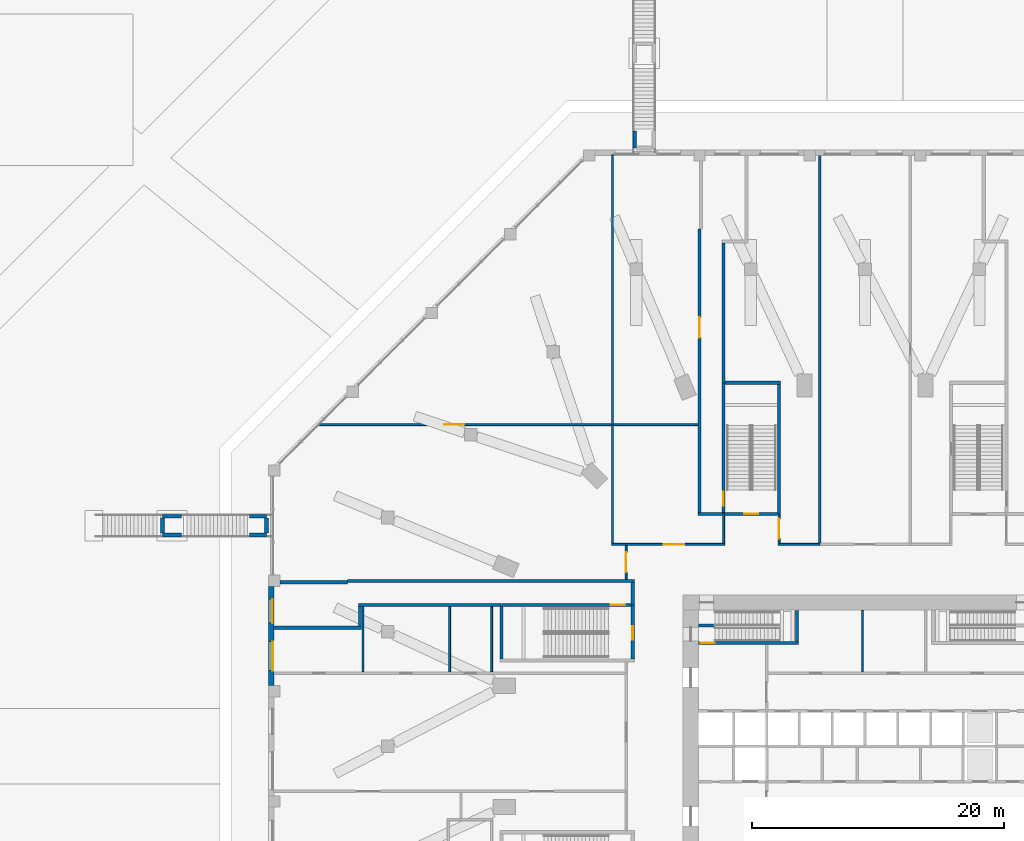
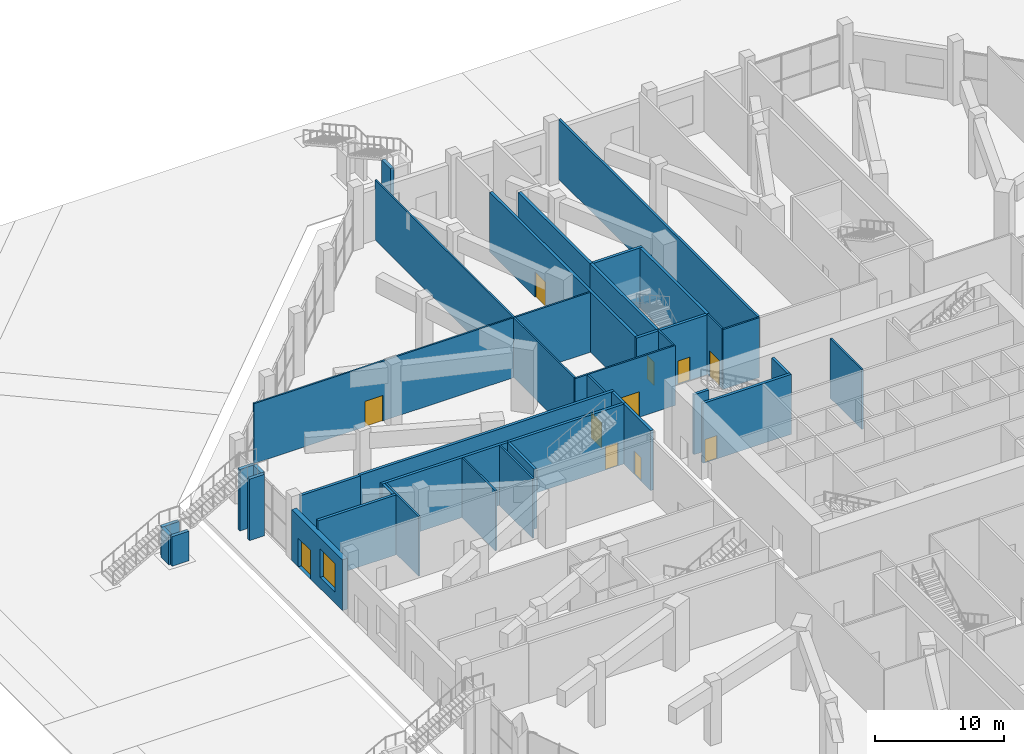
# One storey, part 26 of 36: 40 walls, 11 doors, 1 window, 12 openings.
"""IFC4 building model written with IfcOpenShell, lengths in metres."""

from ifc_helpers import new_model, si_unit, direction, frame, frame_2d, origin, place, context, subcontext, project, spatial, rectangle, extrude, material, layer, layer_set, type_object, element, fill, save


model = new_model("IFC4")

# Units and contexts
model_context = context("Model", 3, precision=1e-05, world=origin(), true_north=direction((0.0, 1.0)))
body_context = subcontext(model_context, "Body", "Model", "MODEL_VIEW")
ifc_project = project(units=[si_unit("LENGTHUNIT", "METRE"), si_unit("AREAUNIT", "SQUARE_METRE"), si_unit("VOLUMEUNIT", "CUBIC_METRE"), si_unit("PLANEANGLEUNIT", "RADIAN"), si_unit("MASSUNIT", "GRAM", prefix="KILO")], contexts=[model_context])

# Site, building, storey
site_placement = place(None, origin())
site = spatial("IfcSite", under=ifc_project, at=site_placement, CompositionType="ELEMENT")
building_placement = place(site_placement, origin())
building = spatial("IfcBuilding", under=site, at=building_placement, Name="Msitu Wima Residences", CompositionType="ELEMENT")
storey_placement = place(building_placement, origin())
storey = spatial("IfcBuildingStorey", under=building, at=storey_placement, Name="L00", CompositionType="ELEMENT", Elevation=0.0)

# Wall, openings, door, window
ifc_material_1 = material(Name="Brick (red buff mix), cavity wall of two leaves", Category="masonry")
ifc_layer_1 = layer(ifc_material_1, 0.449951171875)
ifc_layer_set_1 = layer_set([ifc_layer_1], Name="Brick (red buff mix), cavity wall of two leaves")
wall_type_1 = type_object("IfcWallType", Name="Brick infill wall BW450 podium", PredefinedType="ELEMENTEDWALL", material=ifc_layer_set_1)
wall_1_placement = place(storey_placement, frame((-47.02490234375, 12.66357421875, 0.0), z_axis=(0.0, 0.0, 1.0), x_axis=(0.0, -1.0, 0.0)))
wall_1 = element("IfcWall", 1, at=wall_1_placement, inside=storey, type_object=wall_type_1, Name="Brick infill wall L00 W1", PredefinedType="ELEMENTEDWALL", context=body_context, shape_type="SweptSolid", body=[
    extrude(rectangle(XDim=7.84228515625, YDim=0.449951171875, at=frame_2d((3.921142578125, 0.0))), origin(), (0.0, 0.0, 1.0), 4.800048828125),
])
opening_1_placement = place(wall_1_placement, frame((1.010498046875, 0.0, 0.0)))
opening_1 = element("IfcOpeningElement", 2, at=opening_1_placement, cuts=wall_1, Name="Opening D00.020", PredefinedType="OPENING", context=body_context, shape_type="SweptSolid", body=[
    extrude(rectangle(XDim=1.89990234375, YDim=2.699951171875, at=frame_2d((0.949951171875, 1.35009765625))), frame((0.0, 0.23486328125, 0.0), z_axis=(0.0, -1.0, 0.0), x_axis=(1.0, 0.0, 0.0)), (0.0, 0.0, 1.0), 0.469970703125),
])
opening_2_placement = place(wall_1_placement, frame((4.37109375, 0.0, 1.050048828125)))
opening_2 = element("IfcOpeningElement", 3, at=opening_2_placement, cuts=wall_1, Name="Opening W00.013", PredefinedType="OPENING", context=body_context, shape_type="SweptSolid", body=[
    extrude(rectangle(XDim=2.2900390625, YDim=2.699951171875, at=frame_2d((1.14501953125, 1.35009765625))), frame((0.0, 0.23486328125, 0.0), z_axis=(0.0, -1.0, 0.0), x_axis=(1.0, 0.0, 0.0)), (0.0, 0.0, 1.0), 0.469970703125),
])
ifc_material_2 = material(Name="Anodised aluminium, bronze finish, clear laminated glazing", Category="aluminium")
door_type_1 = type_object("IfcDoorType", Name="Exit door D1900x2700", OperationType="DOUBLE_DOOR_SINGLE_SWING", PredefinedType="DOOR", material=ifc_material_2)
door_1_placement = place(opening_1_placement, frame((1.89990234375, 0.0, 0.0), z_axis=(0.0, 0.0, 1.0), x_axis=(-1.0, 0.0, 0.0)))
door_1 = element("IfcDoor", 4, at=door_1_placement, inside=storey, type_object=door_type_1, Name="Exit door L00 W1", OperationType="DOUBLE_DOOR_SINGLE_SWING", OverallHeight=2.699951171875, OverallWidth=1.89990234375, PredefinedType="DOOR", context=body_context, shape_type="SweptSolid", body=[
    extrude(rectangle(XDim=1.89990234375, YDim=2.699951171875, at=frame_2d((0.949951171875, 1.35009765625))), frame((0.0, -0.079833984375, 0.0), z_axis=(0.0, -1.0, 0.0), x_axis=(1.0, 0.0, 0.0)), (0.0, 0.0, 1.0), 0.050048828125),
])
fill(opening_1, door_1)
ifc_material_3 = material(Name="Anodised aluminium, bronze finish, clear low-emissivity double glazing", Category="aluminium")
window_type = type_object("IfcWindowType", Name="Window W2290x2700", PartitioningType="DOUBLE_PANEL_VERTICAL", PredefinedType="WINDOW", material=ifc_material_3)
window_placement = place(opening_2_placement, origin())
window = element("IfcWindow", 5, at=window_placement, inside=storey, type_object=window_type, Name="Window L00 W1.2a", OverallHeight=2.699951171875, OverallWidth=2.2900390625, PartitioningType="SINGLE_PANEL", PredefinedType="WINDOW", context=body_context, shape_type="SweptSolid", body=[
    extrude(rectangle(XDim=2.2900390625, YDim=2.699951171875, at=frame_2d((1.14501953125, 1.35009765625))), frame((0.0, 0.135009765625, 0.0), z_axis=(0.0, -1.0, 0.0), x_axis=(1.0, 0.0, 0.0)), (0.0, 0.0, 1.0), 0.06005859375),
])
fill(opening_2, window)

# Walls
ifc_material_4 = material(Name="Plaster")
ifc_layer_2 = layer(ifc_material_4, 0.011962890625, Name="Plaster")
ifc_material_5 = material(Name="Concrete blockwork", Category="masonry")
ifc_layer_3 = layer(ifc_material_5, 0.176025390625, Name="Concrete blockwork")
ifc_layer_4 = layer(ifc_material_4, 0.011962890625, Name="Plaster")
ifc_layer_set_2 = layer_set([ifc_layer_2, ifc_layer_3, ifc_layer_4], Name="Concrete blockwork")
wall_type_2 = type_object("IfcWallType", Name="Corridor wall FW200", PredefinedType="PARTITIONING", material=ifc_layer_set_2)
wall_2_placement = place(storey_placement, frame((-3.60009765625, 16.10009765625, 0.0), z_axis=(0.0, 0.0, 1.0), x_axis=(0.0, 1.0, 0.0)))
element("IfcWall", 6, at=wall_2_placement, inside=storey, type_object=wall_type_2, Name="Corridor wall", PredefinedType="PARTITIONING", context=body_context, shape_type="SweptSolid", body=[
    extrude(rectangle(XDim=30.7548828125, YDim=0.199951171875, at=frame_2d((15.37744140625, 0.0))), origin(), (0.0, 0.0, 1.0), 5.64990234375),
])
ifc_material_6 = material(Name="Facing brick")
ifc_layer_5 = layer(ifc_material_6, 0.06494140625, Name="Facing brick")
ifc_material_7 = material(Name="Concrete C40/50", Category="concrete")
ifc_layer_6 = layer(ifc_material_7, 0.235107421875, Name="Concrete C40/50")
ifc_layer_set_3 = layer_set([ifc_layer_5, ifc_layer_6], Name="Concrete C40/50")
wall_type_3 = type_object("IfcWallType", Name="Garden stair support wall SW300", PredefinedType="SOLIDWALL", material=ifc_layer_set_3)
for number, where, z_axis, x_axis, name in (
    (7, (-47.39990234375, 18.234619140625, 0.0), (0.0, 0.0, 1.0), (-1.0, 0.0, 0.0), "Garden stair 4 support wall"),
    (8, (-47.39990234375, 16.734619140625, 0.0), (0.0, 0.0, 1.0), (-1.0, 0.0, 0.0), "Garden stair 4 support wall"),
):
    element("IfcWall", number, at=place(storey_placement, frame(where, z_axis=z_axis, x_axis=x_axis)), inside=storey, type_object=wall_type_3, Name=name, PredefinedType="SOLIDWALL", context=body_context, shape_type="SweptSolid", body=[
        extrude(rectangle(XDim=1.35009765625, YDim=0.300048828125, at=frame_2d((0.675048828125, 0.0))), origin(), (0.0, 0.0, 1.0), 5.800048828125),
    ])
wall_3_placement = place(storey_placement, frame((-47.39990234375, 18.084716796875, 0.0), z_axis=(0.0, 0.0, 1.0), x_axis=(0.0, -1.0, 0.0)))
element("IfcWall", 9, at=wall_3_placement, inside=storey, type_object=wall_type_3, Name="Garden stair 4 support wall", PredefinedType="SOLIDWALL", context=body_context, shape_type="SweptSolid", body=[
    extrude(rectangle(XDim=1.199951171875, YDim=0.300048828125, at=frame_2d((0.60009765625, 0.0))), origin(), (0.0, 0.0, 1.0), 5.800048828125),
])
for number, where, z_axis, x_axis, name in (
    (10, (-54.14990234375, 18.234619140625, 0.0), (0.0, 0.0, 1.0), (-1.0, 0.0, 0.0), "Garden stair 4 support wall"),
    (11, (-54.14990234375, 16.734619140625, 0.0), (0.0, 0.0, 1.0), (-1.0, 0.0, 0.0), "Garden stair 4 support wall"),
):
    element("IfcWall", number, at=place(storey_placement, frame(where, z_axis=z_axis, x_axis=x_axis)), inside=storey, type_object=wall_type_3, Name=name, PredefinedType="SOLIDWALL", context=body_context, shape_type="SweptSolid", body=[
        extrude(rectangle(XDim=1.5, YDim=0.300048828125, at=frame_2d((0.75, 0.0))), origin(), (0.0, 0.0, 1.0), 2.800048828125),
    ])
wall_4_placement = place(storey_placement, frame((-55.64990234375, 18.084716796875, 0.0), z_axis=(0.0, 0.0, 1.0), x_axis=(0.0, -1.0, 0.0)))
element("IfcWall", 12, at=wall_4_placement, inside=storey, type_object=wall_type_3, Name="Garden stair 4 support wall", PredefinedType="SOLIDWALL", context=body_context, shape_type="SweptSolid", body=[
    extrude(rectangle(XDim=1.199951171875, YDim=0.300048828125, at=frame_2d((0.60009765625, 0.0))), origin(), (0.0, 0.0, 1.0), 2.800048828125),
])
wall_5_placement = place(storey_placement, frame((-18.234619140625, 47.39990234375, 0.0), z_axis=(0.0, 0.0, 1.0), x_axis=(0.0, 1.0, 0.0)))
element("IfcWall", 13, at=wall_5_placement, inside=storey, type_object=wall_type_3, Name="Garden stair 5 support wall", PredefinedType="SOLIDWALL", context=body_context, shape_type="SweptSolid", body=[
    extrude(rectangle(XDim=1.35009765625, YDim=0.300048828125, at=frame_2d((0.675048828125, 0.0))), origin(), (0.0, 0.0, 1.0), 5.800048828125),
])

# Wall, opening, door
ifc_layer_7 = layer(ifc_material_4, 0.011962890625, Name="Plaster")
ifc_layer_8 = layer(ifc_material_5, 0.1259765625, Name="Concrete blockwork")
ifc_layer_9 = layer(ifc_material_4, 0.011962890625, Name="Plaster")
ifc_layer_set_4 = layer_set([ifc_layer_7, ifc_layer_8, ifc_layer_9], Name="Concrete blockwork")
wall_type_4 = type_object("IfcWallType", Name="Partition PW150", PredefinedType="PARTITIONING", material=ifc_layer_set_4)
wall_6_placement = place(storey_placement, frame((-43.248291015625, 25.4853515625, 0.0), z_axis=(0.0, 0.0, 1.0), x_axis=(1.0, 0.0, 0.0)))
wall_6 = element("IfcWall", 14, at=wall_6_placement, inside=storey, type_object=wall_type_4, Name="Partition", PredefinedType="PARTITIONING", context=body_context, shape_type="SweptSolid", body=[
    extrude(rectangle(XDim=30.023193359375, YDim=0.14990234375, at=frame_2d((15.01171875, 0.0))), origin(), (0.0, 0.0, 1.0), 5.64990234375),
])
opening_3_placement = place(wall_6_placement, frame((9.89990234375, 0.0, 0.0)))
opening_3 = element("IfcOpeningElement", 15, at=opening_3_placement, cuts=wall_6, Name="Opening D00.068", PredefinedType="OPENING", context=body_context, shape_type="SweptSolid", body=[
    extrude(rectangle(XDim=1.60009765625, YDim=2.39990234375, at=frame_2d((0.800048828125, 1.199951171875))), frame((0.0, 0.0849609375, 0.0), z_axis=(0.0, -1.0, 0.0), x_axis=(1.0, 0.0, 0.0)), (0.0, 0.0, 1.0), 0.169921875),
])
ifc_material_8 = material(Name="Black aluminium glazed door", Category="aluminium")
door_type_2 = type_object("IfcDoorType", Name="Amenity door D10 1600x2400", OperationType="DOUBLE_DOOR_SINGLE_SWING", PredefinedType="DOOR", material=ifc_material_8)
door_2_placement = place(opening_3_placement, origin())
door_2 = element("IfcDoor", 16, at=door_2_placement, inside=storey, type_object=door_type_2, Name="Amenity door", OperationType="DOUBLE_DOOR_SINGLE_SWING", OverallHeight=2.39990234375, OverallWidth=1.60009765625, PredefinedType="DOOR", context=body_context, shape_type="SweptSolid", body=[
    extrude(rectangle(XDim=1.60009765625, YDim=2.39990234375, at=frame_2d((0.800048828125, 1.199951171875))), frame((0.0, 0.02490234375, 0.0), z_axis=(0.0, -1.0, 0.0), x_axis=(1.0, 0.0, 0.0)), (0.0, 0.0, 1.0), 0.050048828125),
])
fill(opening_3, door_2)

# Walls
for number, where, z_axis, x_axis, name in (
    (17, (-39.763916015625, 5.89990234375, 0.0), (0.0, 0.0, 1.0), (0.0, 1.0, 0.0), "Partition"),
    (18, (-32.89990234375, 5.89990234375, 0.0), (0.0, 0.0, 1.0), (0.0, 1.0, 0.0), "Partition"),
):
    element("IfcWall", number, at=place(storey_placement, frame(where, z_axis=z_axis, x_axis=x_axis)), inside=storey, type_object=wall_type_4, Name=name, PredefinedType="PARTITIONING", context=body_context, shape_type="SweptSolid", body=[
        extrude(rectangle(XDim=5.175048828125, YDim=0.14990234375, at=frame_2d((2.58740234375, 0.0))), origin(), (0.0, 0.0, 1.0), 5.64990234375),
    ])
wall_7_placement = place(storey_placement, frame((-29.574951171875, 5.919921875, 0.0), z_axis=(0.0, 0.0, 1.0), x_axis=(0.0, 1.0, 0.0)))
element("IfcWall", 19, at=wall_7_placement, inside=storey, type_object=wall_type_4, Name="Partition", PredefinedType="PARTITIONING", context=body_context, shape_type="SweptSolid", body=[
    extrude(rectangle(XDim=5.135009765625, YDim=0.14990234375, at=frame_2d((2.5673828125, 0.0))), origin(), (0.0, 0.0, 1.0), 5.64990234375),
])
wall_8_placement = place(storey_placement, frame((-20.0, 16.074951171875, 0.0), z_axis=(0.0, 0.0, 1.0), x_axis=(0.0, 1.0, 0.0)))
element("IfcWall", 20, at=wall_8_placement, inside=storey, type_object=wall_type_4, Name="Partition", PredefinedType="PARTITIONING", context=body_context, shape_type="SweptSolid", body=[
    extrude(rectangle(XDim=9.410400390625, YDim=0.14990234375, at=frame_2d((4.705078125, 0.0))), origin(), (0.0, 0.0, 1.0), 5.64990234375),
])

# Wall, opening, door
wall_9_placement = place(storey_placement, frame((-20.074951171875, 16.0, 0.0), z_axis=(0.0, 0.0, 1.0), x_axis=(1.0, 0.0, 0.0)))
wall_9 = element("IfcWall", 21, at=wall_9_placement, inside=storey, type_object=wall_type_4, Name="Partition", PredefinedType="PARTITIONING", context=body_context, shape_type="SweptSolid", body=[
    extrude(rectangle(XDim=8.949951171875, YDim=0.14990234375, at=frame_2d((4.47509765625, 0.0))), origin(), (0.0, 0.0, 1.0), 5.64990234375),
])
opening_4_placement = place(wall_9_placement, frame((4.14990234375, 0.0, 0.0)))
opening_4 = element("IfcOpeningElement", 22, at=opening_4_placement, cuts=wall_9, Name="Opening D00.061", PredefinedType="OPENING", context=body_context, shape_type="SweptSolid", body=[
    extrude(rectangle(XDim=1.60009765625, YDim=2.39990234375, at=frame_2d((0.800048828125, 1.199951171875))), frame((0.0, 0.0849609375, 0.0), z_axis=(0.0, -1.0, 0.0), x_axis=(1.0, 0.0, 0.0)), (0.0, 0.0, 1.0), 0.169921875),
])
door_3_placement = place(opening_4_placement, origin())
door_3 = element("IfcDoor", 23, at=door_3_placement, inside=storey, type_object=door_type_2, Name="Amenity door", OperationType="DOUBLE_DOOR_SINGLE_SWING", OverallHeight=2.39990234375, OverallWidth=1.60009765625, PredefinedType="DOOR", context=body_context, shape_type="SweptSolid", body=[
    extrude(rectangle(XDim=1.60009765625, YDim=2.39990234375, at=frame_2d((0.800048828125, 1.199951171875))), frame((0.0, 0.02490234375, 0.0), z_axis=(0.0, -1.0, 0.0), x_axis=(1.0, 0.0, 0.0)), (0.0, 0.0, 1.0), 0.050048828125),
])
fill(opening_4, door_3)

# Wall
wall_10_placement = place(storey_placement, frame((-20.0, 25.4853515625, 0.0), z_axis=(0.0, 0.0, 1.0), x_axis=(0.0, 1.0, 0.0)))
element("IfcWall", 24, at=wall_10_placement, inside=storey, type_object=wall_type_4, Name="Partition", PredefinedType="PARTITIONING", context=body_context, shape_type="SweptSolid", body=[
    extrude(rectangle(XDim=21.36962890625, YDim=0.14990234375, at=frame_2d((10.684814453125, 0.0))), origin(), (0.0, 0.0, 1.0), 5.64990234375),
])

# Wall, opening, door
wall_11_placement = place(storey_placement, frame((-18.927978515625, 13.22509765625, 0.0), z_axis=(0.0, 0.0, 1.0), x_axis=(0.0, 1.0, 0.0)))
wall_11 = element("IfcWall", 25, at=wall_11_placement, inside=storey, type_object=wall_type_4, Name="Partition", PredefinedType="PARTITIONING", context=body_context, shape_type="SweptSolid", body=[
    extrude(rectangle(XDim=2.699951171875, YDim=0.14990234375, at=frame_2d((1.35009765625, 0.0))), origin(), (0.0, 0.0, 1.0), 5.64990234375),
])
opening_5_placement = place(wall_11_placement, frame((0.550048828125, 0.0, 0.0)))
opening_5 = element("IfcOpeningElement", 26, at=opening_5_placement, cuts=wall_11, Name="Opening D00.067", PredefinedType="OPENING", context=body_context, shape_type="SweptSolid", body=[
    extrude(rectangle(XDim=1.60009765625, YDim=2.39990234375, at=frame_2d((0.800048828125, 1.199951171875))), frame((0.0, 0.0849609375, 0.0), z_axis=(0.0, -1.0, 0.0), x_axis=(1.0, 0.0, 0.0)), (0.0, 0.0, 1.0), 0.169921875),
])
door_4_placement = place(opening_5_placement, origin())
door_4 = element("IfcDoor", 27, at=door_4_placement, inside=storey, type_object=door_type_2, Name="Amenity door", OperationType="DOUBLE_DOOR_SINGLE_SWING", OverallHeight=2.39990234375, OverallWidth=1.60009765625, PredefinedType="DOOR", context=body_context, shape_type="SweptSolid", body=[
    extrude(rectangle(XDim=1.60009765625, YDim=2.39990234375, at=frame_2d((0.800048828125, 1.199951171875))), frame((0.0, 0.02490234375, 0.0), z_axis=(0.0, -1.0, 0.0), x_axis=(1.0, 0.0, 0.0)), (0.0, 0.0, 1.0), 0.050048828125),
])
fill(opening_5, door_4)

# Wall
wall_12_placement = place(storey_placement, frame((-11.199951171875, 16.074951171875, 0.0), z_axis=(0.0, 0.0, 1.0), x_axis=(0.0, 1.0, 0.0)))
element("IfcWall", 28, at=wall_12_placement, inside=storey, type_object=wall_type_4, Name="Partition", PredefinedType="PARTITIONING", context=body_context, shape_type="SweptSolid", body=[
    extrude(rectangle(XDim=2.324951171875, YDim=0.14990234375, at=frame_2d((1.16259765625, 0.0))), origin(), (0.0, 0.0, 1.0), 5.64990234375),
])

# Wall, opening, door
wall_13_placement = place(storey_placement, frame((-6.800048828125, 16.074951171875, 0.0), z_axis=(0.0, 0.0, 1.0), x_axis=(0.0, 1.0, 0.0)))
wall_13 = element("IfcWall", 29, at=wall_13_placement, inside=storey, type_object=wall_type_4, Name="Partition", PredefinedType="PARTITIONING", context=body_context, shape_type="SweptSolid", body=[
    extrude(rectangle(XDim=2.324951171875, YDim=0.14990234375, at=frame_2d((1.16259765625, 0.0))), origin(), (0.0, 0.0, 1.0), 5.64990234375),
])
opening_6_placement = place(wall_13_placement, frame((0.35009765625, 0.0, 0.0)))
opening_6 = element("IfcOpeningElement", 30, at=opening_6_placement, cuts=wall_13, Name="Opening D00.060", PredefinedType="OPENING", context=body_context, shape_type="SweptSolid", body=[
    extrude(rectangle(XDim=1.60009765625, YDim=2.39990234375, at=frame_2d((0.800048828125, 1.199951171875))), frame((0.0, 0.0849609375, 0.0), z_axis=(0.0, -1.0, 0.0), x_axis=(1.0, 0.0, 0.0)), (0.0, 0.0, 1.0), 0.169921875),
])
door_5_placement = place(opening_6_placement, origin())
door_5 = element("IfcDoor", 31, at=door_5_placement, inside=storey, type_object=door_type_2, Name="Amenity door", OperationType="DOUBLE_DOOR_SINGLE_SWING", OverallHeight=2.39990234375, OverallWidth=1.60009765625, PredefinedType="DOOR", context=body_context, shape_type="SweptSolid", body=[
    extrude(rectangle(XDim=1.60009765625, YDim=2.39990234375, at=frame_2d((0.800048828125, 1.199951171875))), frame((0.0, 0.02490234375, 0.0), z_axis=(0.0, -1.0, 0.0), x_axis=(1.0, 0.0, 0.0)), (0.0, 0.0, 1.0), 0.050048828125),
])
fill(opening_6, door_5)

# Walls
wall_14_placement = place(storey_placement, frame((-6.875, 16.0, 0.0), z_axis=(0.0, 0.0, 1.0), x_axis=(1.0, 0.0, 0.0)))
element("IfcWall", 32, at=wall_14_placement, inside=storey, type_object=wall_type_4, Name="Partition", PredefinedType="PARTITIONING", context=body_context, shape_type="SweptSolid", body=[
    extrude(rectangle(XDim=3.27490234375, YDim=0.14990234375, at=frame_2d((1.637451171875, 0.0))), origin(), (0.0, 0.0, 1.0), 5.64990234375),
])
wall_15_placement = place(storey_placement, frame((-0.199951171875, 5.89990234375, 0.0), z_axis=(0.0, 0.0, 1.0), x_axis=(0.0, 1.0, 0.0)))
element("IfcWall", 33, at=wall_15_placement, inside=storey, type_object=wall_type_4, Name="Partition", PredefinedType="PARTITIONING", context=body_context, shape_type="SweptSolid", body=[
    extrude(rectangle(XDim=4.8701171875, YDim=0.14990234375, at=frame_2d((2.43505859375, 0.0))), origin(), (0.0, 0.0, 1.0), 5.64990234375),
])
ifc_material_9 = material(Name="Concrete C50/60", Category="concrete")
ifc_layer_10 = layer(ifc_material_9, 0.25)
ifc_layer_set_5 = layer_set([ifc_layer_10], Name="Concrete C50/60")
wall_type_5 = type_object("IfcWallType", Name="Stair enclosure wall SW250", PredefinedType="SHEAR", material=ifc_layer_set_5)
wall_16_placement = place(storey_placement, frame((-28.800048828125, 6.925048828125, 0.0), z_axis=(0.0, 0.0, 1.0), x_axis=(0.0, 1.0, 0.0)))
element("IfcWall", 34, at=wall_16_placement, inside=storey, type_object=wall_type_5, Name="Stair enclosure wall", PredefinedType="SHEAR", context=body_context, shape_type="SweptSolid", body=[
    extrude(rectangle(XDim=4.14990234375, YDim=0.25, at=frame_2d((2.074951171875, 0.0))), origin(), (0.0, 0.0, 1.0), 5.64990234375),
])

# Wall, opening, door
wall_17_placement = place(storey_placement, frame((-28.800048828125, 11.199951171875, 0.0), z_axis=(0.0, 0.0, 1.0), x_axis=(1.0, 0.0, 0.0)))
wall_17 = element("IfcWall", 35, at=wall_17_placement, inside=storey, type_object=wall_type_5, Name="Stair enclosure wall", PredefinedType="SHEAR", context=body_context, shape_type="SweptSolid", body=[
    extrude(rectangle(XDim=10.275146484375, YDim=0.25, at=frame_2d((5.1376953125, 0.0))), origin(), (0.0, 0.0, 1.0), 5.64990234375),
])
opening_7_placement = place(wall_17_placement, frame((8.64990234375, 0.0, 0.0)))
opening_7 = element("IfcOpeningElement", 36, at=opening_7_placement, cuts=wall_17, Name="Opening D00.087", PredefinedType="OPENING", context=body_context, shape_type="SweptSolid", body=[
    extrude(rectangle(XDim=1.10009765625, YDim=2.199951171875, at=frame_2d((0.550048828125, 1.10009765625))), frame((0.0, 0.135009765625, 0.0), z_axis=(0.0, -1.0, 0.0), x_axis=(1.0, 0.0, 0.0)), (0.0, 0.0, 1.0), 0.27001953125),
])
ifc_material_10 = material(Name="Steel door, fire resisting, panic bar", Category="steel")
door_type_3 = type_object("IfcDoorType", Name="Stair door D13 1100x2200", OperationType="SINGLE_SWING_LEFT", PredefinedType="DOOR", material=ifc_material_10)
door_6_placement = place(opening_7_placement, origin())
door_6 = element("IfcDoor", 37, at=door_6_placement, inside=storey, type_object=door_type_3, Name="Stair door", OperationType="SINGLE_SWING_RIGHT", OverallHeight=2.199951171875, OverallWidth=1.10009765625, PredefinedType="DOOR", context=body_context, shape_type="SweptSolid", body=[
    extrude(rectangle(XDim=1.10009765625, YDim=2.199951171875, at=frame_2d((0.550048828125, 1.10009765625))), frame((0.0, 0.02490234375, 0.0), z_axis=(0.0, -1.0, 0.0), x_axis=(1.0, 0.0, 0.0)), (0.0, 0.0, 1.0), 0.050048828125),
])
fill(opening_7, door_6)

wall_18_placement = place(storey_placement, frame((-18.39990234375, 6.925048828125, 0.0), z_axis=(0.0, 0.0, 1.0), x_axis=(0.0, 1.0, 0.0)))
wall_18 = element("IfcWall", 38, at=wall_18_placement, inside=storey, type_object=wall_type_5, Name="Stair enclosure wall", PredefinedType="SHEAR", context=body_context, shape_type="SweptSolid", body=[
    extrude(rectangle(XDim=4.27490234375, YDim=0.25, at=frame_2d((2.137451171875, 0.0))), origin(), (0.0, 0.0, 1.0), 5.64990234375),
])
opening_8_placement = place(wall_18_placement, frame((1.5, 0.0, 0.0)))
opening_8 = element("IfcOpeningElement", 39, at=opening_8_placement, cuts=wall_18, Name="Opening D00.086", PredefinedType="OPENING", context=body_context, shape_type="SweptSolid", body=[
    extrude(rectangle(XDim=1.10009765625, YDim=2.199951171875, at=frame_2d((0.550048828125, 1.10009765625))), frame((0.0, 0.135009765625, 0.0), z_axis=(0.0, -1.0, 0.0), x_axis=(1.0, 0.0, 0.0)), (0.0, 0.0, 1.0), 0.27001953125),
])
door_7_placement = place(opening_8_placement, origin())
door_7 = element("IfcDoor", 40, at=door_7_placement, inside=storey, type_object=door_type_3, Name="Stair door", OperationType="SINGLE_SWING_RIGHT", OverallHeight=2.199951171875, OverallWidth=1.10009765625, PredefinedType="DOOR", context=body_context, shape_type="SweptSolid", body=[
    extrude(rectangle(XDim=1.10009765625, YDim=2.199951171875, at=frame_2d((0.550048828125, 1.10009765625))), frame((0.0, 0.02490234375, 0.0), z_axis=(0.0, -1.0, 0.0), x_axis=(1.0, 0.0, 0.0)), (0.0, 0.0, 1.0), 0.050048828125),
])
fill(opening_8, door_7)

wall_19_placement = place(storey_placement, frame((-13.169921875, 8.199951171875, 0.0), z_axis=(0.0, 0.0, 1.0), x_axis=(1.0, 0.0, 0.0)))
wall_19 = element("IfcWall", 41, at=wall_19_placement, inside=storey, type_object=wall_type_5, Name="Stair enclosure wall", PredefinedType="SHEAR", context=body_context, shape_type="SweptSolid", body=[
    extrude(rectangle(XDim=7.89501953125, YDim=0.25, at=frame_2d((3.947509765625, 0.0))), origin(), (0.0, 0.0, 1.0), 5.64990234375),
])
opening_9_placement = place(wall_19_placement, frame((0.14990234375, 0.0, 0.0)))
opening_9 = element("IfcOpeningElement", 42, at=opening_9_placement, cuts=wall_19, Name="Opening D00.038", PredefinedType="OPENING", context=body_context, shape_type="SweptSolid", body=[
    extrude(rectangle(XDim=1.10009765625, YDim=2.199951171875, at=frame_2d((0.550048828125, 1.10009765625))), frame((0.0, 0.135009765625, 0.0), z_axis=(0.0, -1.0, 0.0), x_axis=(1.0, 0.0, 0.0)), (0.0, 0.0, 1.0), 0.27001953125),
])
door_type_4 = type_object("IfcDoorType", Name="Stair door D06 1100x2200", OperationType="SINGLE_SWING_LEFT", PredefinedType="DOOR", material=ifc_material_10)
door_8_placement = place(opening_9_placement, origin())
door_8 = element("IfcDoor", 43, at=door_8_placement, inside=storey, type_object=door_type_4, Name="Stair door", OperationType="SINGLE_SWING_RIGHT", OverallHeight=2.199951171875, OverallWidth=1.10009765625, PredefinedType="DOOR", context=body_context, shape_type="SweptSolid", body=[
    extrude(rectangle(XDim=1.10009765625, YDim=2.199951171875, at=frame_2d((0.550048828125, 1.10009765625))), frame((0.0, 0.02490234375, 0.0), z_axis=(0.0, -1.0, 0.0), x_axis=(1.0, 0.0, 0.0)), (0.0, 0.0, 1.0), 0.050048828125),
])
fill(opening_9, door_8)

wall_20_placement = place(storey_placement, frame((-11.199951171875, 18.39990234375, 0.0), z_axis=(0.0, 0.0, 1.0), x_axis=(0.0, 1.0, 0.0)))
wall_20 = element("IfcWall", 44, at=wall_20_placement, inside=storey, type_object=wall_type_5, Name="Stair enclosure wall", PredefinedType="SHEAR", context=body_context, shape_type="SweptSolid", body=[
    extrude(rectangle(XDim=10.380126953125, YDim=0.25, at=frame_2d((5.18994140625, 0.0))), origin(), (0.0, 0.0, 1.0), 5.64990234375),
])
opening_10_placement = place(wall_20_placement, frame((0.64990234375, 0.0, 0.0)))
opening_10 = element("IfcOpeningElement", 45, at=opening_10_placement, cuts=wall_20, Name="Opening D00.081", PredefinedType="OPENING", context=body_context, shape_type="SweptSolid", body=[
    extrude(rectangle(XDim=1.10009765625, YDim=2.199951171875, at=frame_2d((0.550048828125, 1.10009765625))), frame((0.0, 0.135009765625, 0.0), z_axis=(0.0, -1.0, 0.0), x_axis=(1.0, 0.0, 0.0)), (0.0, 0.0, 1.0), 0.27001953125),
])
door_9_placement = place(opening_10_placement, origin())
door_9 = element("IfcDoor", 46, at=door_9_placement, inside=storey, type_object=door_type_3, Name="Stair door", OperationType="SINGLE_SWING_LEFT", OverallHeight=2.199951171875, OverallWidth=1.10009765625, PredefinedType="DOOR", context=body_context, shape_type="SweptSolid", body=[
    extrude(rectangle(XDim=1.10009765625, YDim=2.199951171875, at=frame_2d((0.550048828125, 1.10009765625))), frame((0.0, 0.02490234375, 0.0), z_axis=(0.0, -1.0, 0.0), x_axis=(1.0, 0.0, 0.0)), (0.0, 0.0, 1.0), 0.050048828125),
])
fill(opening_10, door_9)

wall_21_placement = place(storey_placement, frame((-11.199951171875, 18.39990234375, 0.0), z_axis=(0.0, 0.0, 1.0), x_axis=(1.0, 0.0, 0.0)))
wall_21 = element("IfcWall", 47, at=wall_21_placement, inside=storey, type_object=wall_type_5, Name="Stair enclosure wall", PredefinedType="SHEAR", context=body_context, shape_type="SweptSolid", body=[
    extrude(rectangle(XDim=4.27490234375, YDim=0.25, at=frame_2d((2.137451171875, 0.0))), origin(), (0.0, 0.0, 1.0), 5.64990234375),
])
opening_11_placement = place(wall_21_placement, frame((1.64990234375, 0.0, 0.0)))
opening_11 = element("IfcOpeningElement", 48, at=opening_11_placement, cuts=wall_21, Name="Opening D00.080", PredefinedType="OPENING", context=body_context, shape_type="SweptSolid", body=[
    extrude(rectangle(XDim=1.10009765625, YDim=2.199951171875, at=frame_2d((0.550048828125, 1.10009765625))), frame((0.0, 0.135009765625, 0.0), z_axis=(0.0, -1.0, 0.0), x_axis=(1.0, 0.0, 0.0)), (0.0, 0.0, 1.0), 0.27001953125),
])
door_10_placement = place(opening_11_placement, origin())
door_10 = element("IfcDoor", 49, at=door_10_placement, inside=storey, type_object=door_type_3, Name="Stair door", OperationType="SINGLE_SWING_LEFT", OverallHeight=2.199951171875, OverallWidth=1.10009765625, PredefinedType="DOOR", context=body_context, shape_type="SweptSolid", body=[
    extrude(rectangle(XDim=1.10009765625, YDim=2.199951171875, at=frame_2d((0.550048828125, 1.10009765625))), frame((0.0, 0.02490234375, 0.0), z_axis=(0.0, -1.0, 0.0), x_axis=(1.0, 0.0, 0.0)), (0.0, 0.0, 1.0), 0.050048828125),
])
fill(opening_11, door_10)

# Walls
wall_22_placement = place(storey_placement, frame((-11.074951171875, 28.800048828125, 0.0), z_axis=(0.0, 0.0, 1.0), x_axis=(1.0, 0.0, 0.0)))
element("IfcWall", 50, at=wall_22_placement, inside=storey, type_object=wall_type_5, Name="Stair enclosure wall", PredefinedType="SHEAR", context=body_context, shape_type="SweptSolid", body=[
    extrude(rectangle(XDim=4.39990234375, YDim=0.25, at=frame_2d((2.199951171875, 0.0))), origin(), (0.0, 0.0, 1.0), 5.64990234375),
])
wall_23_placement = place(storey_placement, frame((-6.800048828125, 18.39990234375, 0.0), z_axis=(0.0, 0.0, 1.0), x_axis=(0.0, 1.0, 0.0)))
element("IfcWall", 51, at=wall_23_placement, inside=storey, type_object=wall_type_5, Name="Stair enclosure wall", PredefinedType="SHEAR", context=body_context, shape_type="SweptSolid", body=[
    extrude(rectangle(XDim=10.275146484375, YDim=0.25, at=frame_2d((5.1376953125, 0.0))), origin(), (0.0, 0.0, 1.0), 5.64990234375),
])
wall_24_placement = place(storey_placement, frame((-5.39990234375, 8.324951171875, 0.0), z_axis=(0.0, 0.0, 1.0), x_axis=(0.0, 1.0, 0.0)))
element("IfcWall", 52, at=wall_24_placement, inside=storey, type_object=wall_type_5, Name="Stair enclosure wall", PredefinedType="SHEAR", context=body_context, shape_type="SweptSolid", body=[
    extrude(rectangle(XDim=2.445068359375, YDim=0.25, at=frame_2d((1.22265625, 0.0))), origin(), (0.0, 0.0, 1.0), 5.64990234375),
])
ifc_layer_11 = layer(ifc_material_4, 0.011962890625, Name="Plaster")
ifc_material_11 = material(Name="Reinforced concrete blockwork", Category="masonry")
ifc_layer_12 = layer(ifc_material_11, 0.22607421875, Name="Reinforced concrete blockwork")
ifc_layer_13 = layer(ifc_material_4, 0.011962890625, Name="Plaster")
ifc_layer_set_6 = layer_set([ifc_layer_11, ifc_layer_12, ifc_layer_13], Name="Reinforced concrete blockwork")
wall_type_6 = type_object("IfcWallType", Name="Stair enclosure wall SW250B", PredefinedType="PARTITIONING", material=ifc_layer_set_6)
wall_25_placement = place(storey_placement, frame((-46.85498046875, 9.39990234375, 0.0), z_axis=(0.0, 0.0, 1.0), x_axis=(1.0, 0.0, 0.0)))
element("IfcWall", 53, at=wall_25_placement, inside=storey, type_object=wall_type_6, Name="Stair enclosure wall", PredefinedType="PARTITIONING", context=body_context, shape_type="SweptSolid", body=[
    extrude(rectangle(XDim=6.97998046875, YDim=0.25, at=frame_2d((3.489990234375, 0.0))), origin(), (0.0, 0.0, 1.0), 5.64990234375),
])
wall_26_placement = place(storey_placement, frame((-46.35009765625, 13.0, 0.0), z_axis=(0.0, 0.0, 1.0), x_axis=(1.0, 0.0, 0.0)))
element("IfcWall", 54, at=wall_26_placement, inside=storey, type_object=wall_type_6, Name="Stair enclosure wall", PredefinedType="PARTITIONING", context=body_context, shape_type="SweptSolid", body=[
    extrude(rectangle(XDim=5.35009765625, YDim=0.25, at=frame_2d((2.675048828125, 0.0))), origin(), (0.0, 0.0, 1.0), 5.64990234375),
])
wall_27_placement = place(storey_placement, frame((-41.0, 13.10009765625, 0.0), z_axis=(0.0, 0.0, 1.0), x_axis=(1.0, 0.0, 0.0)))
element("IfcWall", 55, at=wall_27_placement, inside=storey, type_object=wall_type_6, Name="Stair enclosure wall", PredefinedType="PARTITIONING", context=body_context, shape_type="SweptSolid", body=[
    extrude(rectangle(XDim=22.72509765625, YDim=0.25, at=frame_2d((11.362548828125, 0.0))), origin(), (0.0, 0.0, 1.0), 5.64990234375),
])
wall_28_placement = place(storey_placement, frame((-40.0, 9.52490234375, 0.0), z_axis=(0.0, 0.0, 1.0), x_axis=(0.0, 1.0, 0.0)))
element("IfcWall", 56, at=wall_28_placement, inside=storey, type_object=wall_type_6, Name="Stair enclosure wall", PredefinedType="PARTITIONING", context=body_context, shape_type="SweptSolid", body=[
    extrude(rectangle(XDim=1.550048828125, YDim=0.25, at=frame_2d((0.77490234375, 0.0))), origin(), (0.0, 0.0, 1.0), 5.64990234375),
])
wall_29_placement = place(storey_placement, frame((-40.125, 11.199951171875, 0.0), z_axis=(0.0, 0.0, 1.0), x_axis=(1.0, 0.0, 0.0)))
element("IfcWall", 57, at=wall_29_placement, inside=storey, type_object=wall_type_6, Name="Stair enclosure wall", PredefinedType="PARTITIONING", context=body_context, shape_type="SweptSolid", body=[
    extrude(rectangle(XDim=11.304931640625, YDim=0.25, at=frame_2d((5.65234375, 0.0))), origin(), (0.0, 0.0, 1.0), 5.64990234375),
])
wall_30_placement = place(storey_placement, frame((-18.39990234375, 11.199951171875, 0.0), z_axis=(0.0, 0.0, 1.0), x_axis=(0.0, 1.0, 0.0)))
element("IfcWall", 58, at=wall_30_placement, inside=storey, type_object=wall_type_6, Name="Stair enclosure wall", PredefinedType="PARTITIONING", context=body_context, shape_type="SweptSolid", body=[
    extrude(rectangle(XDim=1.775146484375, YDim=0.25, at=frame_2d((0.8876953125, 0.0))), origin(), (0.0, 0.0, 1.0), 5.64990234375),
])

# Wall, opening, door
wall_31_placement = place(storey_placement, frame((-13.10009765625, 18.52490234375, 0.0), z_axis=(0.0, 0.0, 1.0), x_axis=(0.0, 1.0, 0.0)))
wall_31 = element("IfcWall", 59, at=wall_31_placement, inside=storey, type_object=wall_type_6, Name="Stair enclosure wall", PredefinedType="PARTITIONING", context=body_context, shape_type="SweptSolid", body=[
    extrude(rectangle(XDim=22.47509765625, YDim=0.25, at=frame_2d((11.237548828125, 0.0))), origin(), (0.0, 0.0, 1.0), 5.64990234375),
])
opening_12_placement = place(wall_31_placement, frame((13.85009765625, 0.0, 0.0)))
opening_12 = element("IfcOpeningElement", 60, at=opening_12_placement, cuts=wall_31, Name="Opening D00.063", PredefinedType="OPENING", context=body_context, shape_type="SweptSolid", body=[
    extrude(rectangle(XDim=1.60009765625, YDim=2.39990234375, at=frame_2d((0.800048828125, 1.199951171875))), frame((0.0, 0.135009765625, 0.0), z_axis=(0.0, -1.0, 0.0), x_axis=(1.0, 0.0, 0.0)), (0.0, 0.0, 1.0), 0.27001953125),
])
door_11_placement = place(opening_12_placement, origin())
door_11 = element("IfcDoor", 61, at=door_11_placement, inside=storey, type_object=door_type_2, Name="Amenity door", OperationType="DOUBLE_DOOR_SINGLE_SWING", OverallHeight=2.39990234375, OverallWidth=1.60009765625, PredefinedType="DOOR", context=body_context, shape_type="SweptSolid", body=[
    extrude(rectangle(XDim=1.60009765625, YDim=2.39990234375, at=frame_2d((0.800048828125, 1.199951171875))), frame((0.0, 0.02490234375, 0.0), z_axis=(0.0, -1.0, 0.0), x_axis=(1.0, 0.0, 0.0)), (0.0, 0.0, 1.0), 0.050048828125),
])
fill(opening_12, door_11)

# Walls
wall_32_placement = place(storey_placement, frame((-13.22509765625, 18.39990234375, 0.0), z_axis=(0.0, 0.0, 1.0), x_axis=(1.0, 0.0, 0.0)))
element("IfcWall", 62, at=wall_32_placement, inside=storey, type_object=wall_type_6, Name="Stair enclosure wall", PredefinedType="PARTITIONING", context=body_context, shape_type="SweptSolid", body=[
    extrude(rectangle(XDim=2.025146484375, YDim=0.25, at=frame_2d((1.0126953125, 0.0))), origin(), (0.0, 0.0, 1.0), 5.64990234375),
])
wall_33_placement = place(storey_placement, frame((-11.199951171875, 28.780029296875, 0.0), z_axis=(0.0, 0.0, 1.0), x_axis=(0.0, 1.0, 0.0)))
element("IfcWall", 63, at=wall_33_placement, inside=storey, type_object=wall_type_6, Name="Stair enclosure wall", PredefinedType="PARTITIONING", context=body_context, shape_type="SweptSolid", body=[
    extrude(rectangle(XDim=11.094970703125, YDim=0.25, at=frame_2d((5.54736328125, 0.0))), origin(), (0.0, 0.0, 1.0), 5.64990234375),
])
wall_34_placement = place(storey_placement, frame((-13.199951171875, 9.56005859375, 0.0), z_axis=(0.0, 0.0, 1.0), x_axis=(1.0, 0.0, 0.0)))
element("IfcWall", 64, at=wall_34_placement, inside=storey, type_object=wall_type_6, Name="Stair enclosure wall", PredefinedType="PARTITIONING", context=body_context, shape_type="SweptSolid", body=[
    extrude(rectangle(XDim=1.324951171875, YDim=0.25, at=frame_2d((0.66259765625, 0.0))), origin(), (0.0, 0.0, 1.0), 5.64990234375),
])

save(model, "model.ifc")
